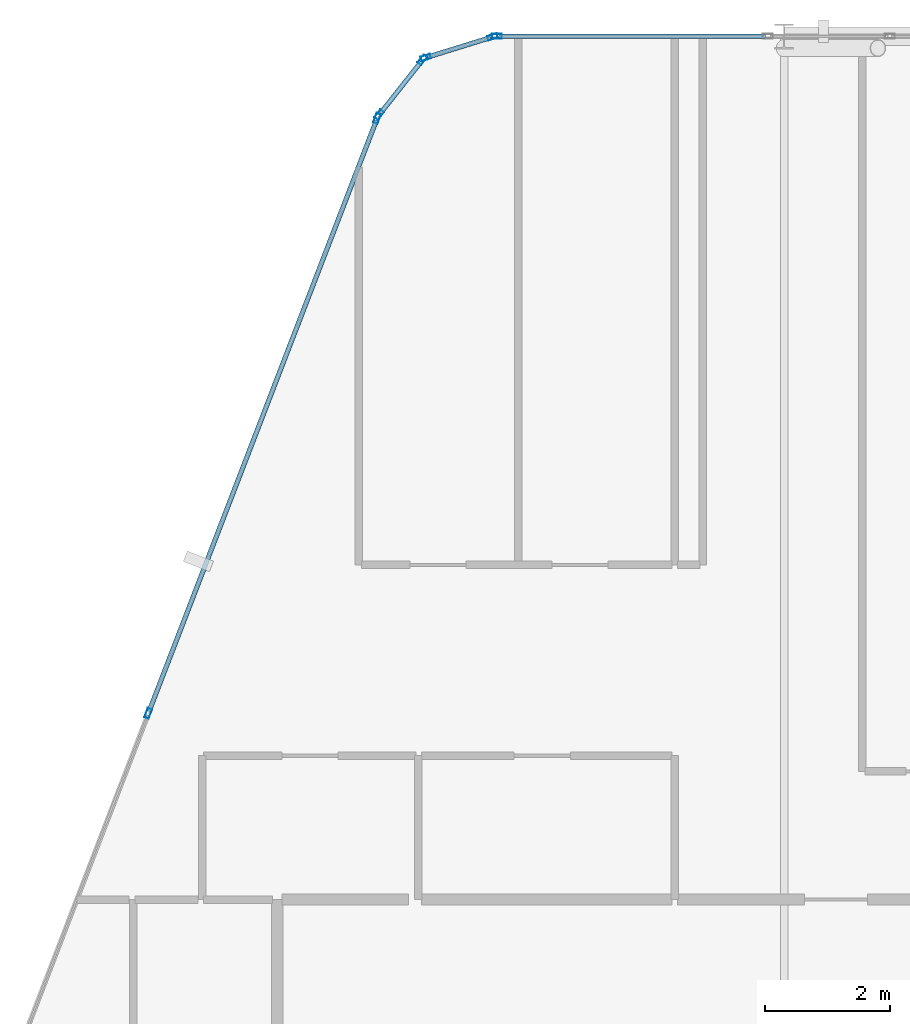
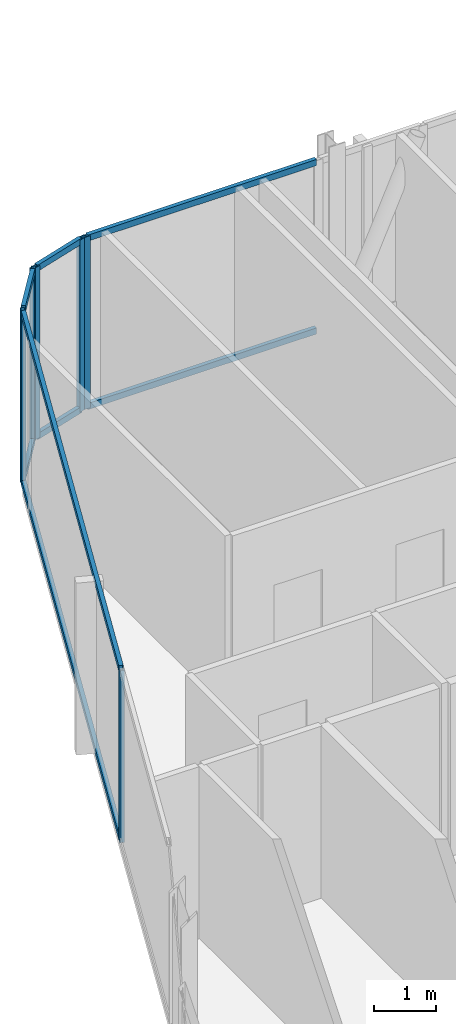
# One storey, part 15 of 28: 15 members, 4 elements without a shape of their own.
"""IFC4 building model written with IfcOpenShell, lengths in metres."""

from ifc_helpers import new_model, si_unit, direction, frame, origin, origin_2d, place, context, subcontext, project, spatial, hollow_rectangle, extrude, material, layer, layer_set, material_profile, profile_set, type_object, element, aggregate, save


model = new_model("IFC4")

# Units and contexts
model_context = context("Model", 3, precision=1e-05, world=origin(), true_north=direction((0.0, 1.0)))
body_context = subcontext(model_context, "Body", "Model", "MODEL_VIEW")
ifc_project = project(units=[si_unit("LENGTHUNIT", "METRE"), si_unit("AREAUNIT", "SQUARE_METRE"), si_unit("VOLUMEUNIT", "CUBIC_METRE"), si_unit("PLANEANGLEUNIT", "RADIAN"), si_unit("MASSUNIT", "GRAM", prefix="KILO")], contexts=[model_context])

# Site, building, storey
site_placement = place(None, origin())
site = spatial("IfcSite", under=ifc_project, at=site_placement, CompositionType="ELEMENT")
building_placement = place(site_placement, origin())
building = spatial("IfcBuilding", under=site, at=building_placement, Name="Keshet Zoharim Tower", CompositionType="ELEMENT")
storey_placement = place(building_placement, frame((0.0, 0.0, 258.39990234375)))
storey = spatial("IfcBuildingStorey", under=building, at=storey_placement, Name="L64", CompositionType="ELEMENT", Elevation=258.39990234375)

# Curtain wall, members
ifc_material = material(Name="Aluminium 6063-T6", Category="aluminium")
ifc_layer = layer(ifc_material, 0.260009765625)
ifc_layer_set = layer_set([ifc_layer], Name="Aluminium 6063-T6")
curtain_wall_type = type_object("IfcCurtainWallType", Name="CW-SYS-06", PredefinedType="NOTDEFINED", material=ifc_layer_set)
curtain_wall_1_placement = place(storey_placement, origin())
curtain_wall_1 = element("IfcCurtainWall", 1, at=curtain_wall_1_placement, inside=storey, type_object=curtain_wall_type, Name="L64 Unitised Curtain Wall 03", PredefinedType="NOTDEFINED")
ifc_material_profile_1 = material_profile(ifc_material, hollow_rectangle(XDim=0.074951171875, YDim=0.159912109375, WallThickness=0.00390625, at=origin_2d()), Name="MUL-75x160")
ifc_profile_set_1 = profile_set([ifc_material_profile_1], Name="Aluminium 6063-T6")
member_type_1 = type_object("IfcMemberType", Name="CWM-M15", PredefinedType="MULLION", material=ifc_profile_set_1)
member_1_placement = place(storey_placement, frame((10.8369140625, 43.076416015625, 0.0), z_axis=(0.0, 0.0, 1.0), x_axis=(-0.933341404361, 0.358990003907, 0.0)))
member_1 = element("IfcMember", 2, at=member_1_placement, type_object=member_type_1, Name="CW-06 mullion 3", PredefinedType="MULLION", context=body_context, shape_type="SweptSolid", body=[
    extrude(hollow_rectangle(XDim=0.074951171875, YDim=0.159912109375, WallThickness=0.00390625, at=origin_2d()), origin(), (0.0, 0.0, 1.0), 3.39013671875),
])
member_2_placement = place(storey_placement, frame((14.494384765625, 52.58544921875, 0.0), z_axis=(0.0, 0.0, 1.0), x_axis=(-0.933341404361, 0.358990003907, 0.0)))
member_2 = element("IfcMember", 3, at=member_2_placement, type_object=member_type_1, Name="CW-06 mullion 4", PredefinedType="MULLION", context=body_context, shape_type="SweptSolid", body=[
    extrude(hollow_rectangle(XDim=0.074951171875, YDim=0.159912109375, WallThickness=0.00390625, at=origin_2d()), origin(), (0.0, 0.0, 1.0), 3.39013671875),
])

curtain_wall_2_placement = place(storey_placement, origin())
curtain_wall_2 = element("IfcCurtainWall", 4, at=curtain_wall_2_placement, inside=storey, type_object=curtain_wall_type, Name="L64 Unitised Curtain Wall 04", PredefinedType="NOTDEFINED")
member_3_placement = place(storey_placement, frame((14.528564453125, 52.6455078125, 0.0), z_axis=(0.0, 0.0, 1.0), x_axis=(-0.785292825205, 0.619124525989, 0.0)))
member_3 = element("IfcMember", 5, at=member_3_placement, type_object=member_type_1, Name="CW-06 mullion 1", PredefinedType="MULLION", context=body_context, shape_type="SweptSolid", body=[
    extrude(hollow_rectangle(XDim=0.074951171875, YDim=0.159912109375, WallThickness=0.00390625, at=origin_2d()), origin(), (0.0, 0.0, 1.0), 3.39013671875),
])
member_4_placement = place(storey_placement, frame((15.21923828125, 53.521484375, 0.0), z_axis=(0.0, 0.0, 1.0), x_axis=(-0.785292825205, 0.619124525989, 0.0)))
member_4 = element("IfcMember", 6, at=member_4_placement, type_object=member_type_1, Name="CW-06 mullion 2", PredefinedType="MULLION", context=body_context, shape_type="SweptSolid", body=[
    extrude(hollow_rectangle(XDim=0.074951171875, YDim=0.159912109375, WallThickness=0.00390625, at=origin_2d()), origin(), (0.0, 0.0, 1.0), 3.39013671875),
])

curtain_wall_3_placement = place(storey_placement, origin())
curtain_wall_3 = element("IfcCurtainWall", 7, at=curtain_wall_3_placement, inside=storey, type_object=curtain_wall_type, Name="L64 Unitised Curtain Wall 05", PredefinedType="NOTDEFINED")
member_5_placement = place(storey_placement, frame((15.2744140625, 53.559326171875, 0.0), z_axis=(0.0, 0.0, 1.0), x_axis=(-0.295921857984, 0.955212151288, 0.0)))
member_5 = element("IfcMember", 8, at=member_5_placement, type_object=member_type_1, Name="CW-06 mullion 1", PredefinedType="MULLION", context=body_context, shape_type="SweptSolid", body=[
    extrude(hollow_rectangle(XDim=0.074951171875, YDim=0.159912109375, WallThickness=0.00390625, at=origin_2d()), origin(), (0.0, 0.0, 1.0), 3.39013671875),
])
member_6_placement = place(storey_placement, frame((16.340576171875, 53.8896484375, 0.0), z_axis=(0.0, 0.0, 1.0), x_axis=(-0.295921857984, 0.955212151288, 0.0)))
member_6 = element("IfcMember", 9, at=member_6_placement, type_object=member_type_1, Name="CW-06 mullion 2", PredefinedType="MULLION", context=body_context, shape_type="SweptSolid", body=[
    extrude(hollow_rectangle(XDim=0.074951171875, YDim=0.159912109375, WallThickness=0.00390625, at=origin_2d()), origin(), (0.0, 0.0, 1.0), 3.39013671875),
])

# Curtain wall, member
curtain_wall_4_placement = place(storey_placement, origin())
curtain_wall_4 = element("IfcCurtainWall", 10, at=curtain_wall_4_placement, inside=storey, type_object=curtain_wall_type, Name="L64 Unitised Curtain Wall 06", PredefinedType="NOTDEFINED")
member_7_placement = place(storey_placement, frame((16.408935546875, 53.89990234375, 0.0), z_axis=(0.0, 0.0, 1.0), x_axis=(0.0, 1.0, 0.0)))
member_7 = element("IfcMember", 11, at=member_7_placement, type_object=member_type_1, Name="CW-06 mullion 1", PredefinedType="MULLION", context=body_context, shape_type="SweptSolid", body=[
    extrude(hollow_rectangle(XDim=0.074951171875, YDim=0.159912109375, WallThickness=0.00390625, at=origin_2d()), origin(), (0.0, 0.0, 1.0), 3.39013671875),
])

# Member
ifc_material_profile_2 = material_profile(ifc_material, hollow_rectangle(XDim=0.074951171875, YDim=0.1201171875, WallThickness=0.00390625, at=origin_2d()), Name="TRN-75x120")
ifc_profile_set_2 = profile_set([ifc_material_profile_2], Name="Aluminium 6063-T6")
member_type_2 = type_object("IfcMemberType", Name="CWT-T12", PredefinedType="USERDEFINED", material=ifc_profile_set_2)
member_8_placement = place(storey_placement, frame((10.849609375, 43.10888671875, 0.03515625), z_axis=(0.358985546764, 0.933343118694, 0.0), x_axis=(-0.933343118694, 0.358985546764, 0.0)))
member_8 = element("IfcMember", 12, at=member_8_placement, type_object=member_type_2, Name="CW-06 transom 3.1", ObjectType="TRANSOM", PredefinedType="USERDEFINED", context=body_context, shape_type="SweptSolid", body=[
    extrude(hollow_rectangle(XDim=0.074951171875, YDim=0.1201171875, WallThickness=0.00390625, at=origin_2d()), origin(), (0.0, 0.0, 1.0), 10.118408203125),
])

member_9_placement = place(storey_placement, frame((10.849609375, 43.10888671875, 3.35498046875), z_axis=(0.358985546764, 0.933343118694, 0.0), x_axis=(-0.933343118694, 0.358985546764, 0.0)))
member_9 = element("IfcMember", 13, at=member_9_placement, type_object=member_type_2, Name="CW-06 transom 3.2", ObjectType="TRANSOM", PredefinedType="USERDEFINED", context=body_context, shape_type="SweptSolid", body=[
    extrude(hollow_rectangle(XDim=0.074951171875, YDim=0.1201171875, WallThickness=0.00390625, at=origin_2d()), origin(), (0.0, 0.0, 1.0), 10.118408203125),
])

aggregate(curtain_wall_1, [member_1, member_2, member_8, member_9])

member_10_placement = place(storey_placement, frame((14.55029296875, 52.6728515625, 0.03515625), z_axis=(0.619099165969, 0.78531281837, 0.0), x_axis=(-0.78531281837, 0.619099165969, 0.0)))
member_10 = element("IfcMember", 14, at=member_10_placement, type_object=member_type_2, Name="CW-06 transom 1.1", ObjectType="TRANSOM", PredefinedType="USERDEFINED", context=body_context, shape_type="SweptSolid", body=[
    extrude(hollow_rectangle(XDim=0.074951171875, YDim=0.1201171875, WallThickness=0.00390625, at=origin_2d()), origin(), (0.0, 0.0, 1.0), 1.0458984375),
])

member_11_placement = place(storey_placement, frame((14.55029296875, 52.6728515625, 3.35498046875), z_axis=(0.619099165969, 0.78531281837, 0.0), x_axis=(-0.78531281837, 0.619099165969, 0.0)))
member_11 = element("IfcMember", 15, at=member_11_placement, type_object=member_type_2, Name="CW-06 transom 1.2", ObjectType="TRANSOM", PredefinedType="USERDEFINED", context=body_context, shape_type="SweptSolid", body=[
    extrude(hollow_rectangle(XDim=0.074951171875, YDim=0.1201171875, WallThickness=0.00390625, at=origin_2d()), origin(), (0.0, 0.0, 1.0), 1.0458984375),
])

aggregate(curtain_wall_2, [member_3, member_4, member_10, member_11])

member_12_placement = place(storey_placement, frame((15.307861328125, 53.56982421875, 0.03515625), z_axis=(0.955212093062, 0.295922045933, 0.0), x_axis=(-0.295922045933, 0.955212093062, 0.0)))
member_12 = element("IfcMember", 16, at=member_12_placement, type_object=member_type_2, Name="CW-06 transom 1.1", ObjectType="TRANSOM", PredefinedType="USERDEFINED", context=body_context, shape_type="SweptSolid", body=[
    extrude(hollow_rectangle(XDim=0.074951171875, YDim=0.1201171875, WallThickness=0.00390625, at=origin_2d()), origin(), (0.0, 0.0, 1.0), 1.046142578125),
])

member_13_placement = place(storey_placement, frame((15.307861328125, 53.56982421875, 3.35498046875), z_axis=(0.955212093062, 0.295922045933, 0.0), x_axis=(-0.295922045933, 0.955212093062, 0.0)))
member_13 = element("IfcMember", 17, at=member_13_placement, type_object=member_type_2, Name="CW-06 transom 1.2", ObjectType="TRANSOM", PredefinedType="USERDEFINED", context=body_context, shape_type="SweptSolid", body=[
    extrude(hollow_rectangle(XDim=0.074951171875, YDim=0.1201171875, WallThickness=0.00390625, at=origin_2d()), origin(), (0.0, 0.0, 1.0), 1.046142578125),
])

aggregate(curtain_wall_3, [member_5, member_6, member_12, member_13])

member_14_placement = place(storey_placement, frame((16.444091796875, 53.89990234375, 0.03515625), z_axis=(1.0, 0.0, 0.0), x_axis=(0.0, 1.0, 0.0)))
member_14 = element("IfcMember", 18, at=member_14_placement, type_object=member_type_2, Name="CW-06 transom 1.1", ObjectType="TRANSOM", PredefinedType="USERDEFINED", context=body_context, shape_type="SweptSolid", body=[
    extrude(hollow_rectangle(XDim=0.074951171875, YDim=0.1201171875, WallThickness=0.00390625, at=origin_2d()), origin(), (0.0, 0.0, 1.0), 4.260986328125),
])

member_15_placement = place(storey_placement, frame((16.444091796875, 53.89990234375, 3.35498046875), z_axis=(1.0, 0.0, 0.0), x_axis=(0.0, 1.0, 0.0)))
member_15 = element("IfcMember", 19, at=member_15_placement, type_object=member_type_2, Name="CW-06 transom 1.2", ObjectType="TRANSOM", PredefinedType="USERDEFINED", context=body_context, shape_type="SweptSolid", body=[
    extrude(hollow_rectangle(XDim=0.074951171875, YDim=0.1201171875, WallThickness=0.00390625, at=origin_2d()), origin(), (0.0, 0.0, 1.0), 4.260986328125),
])

aggregate(curtain_wall_4, [member_7, member_14, member_15])

save(model, "model.ifc")
